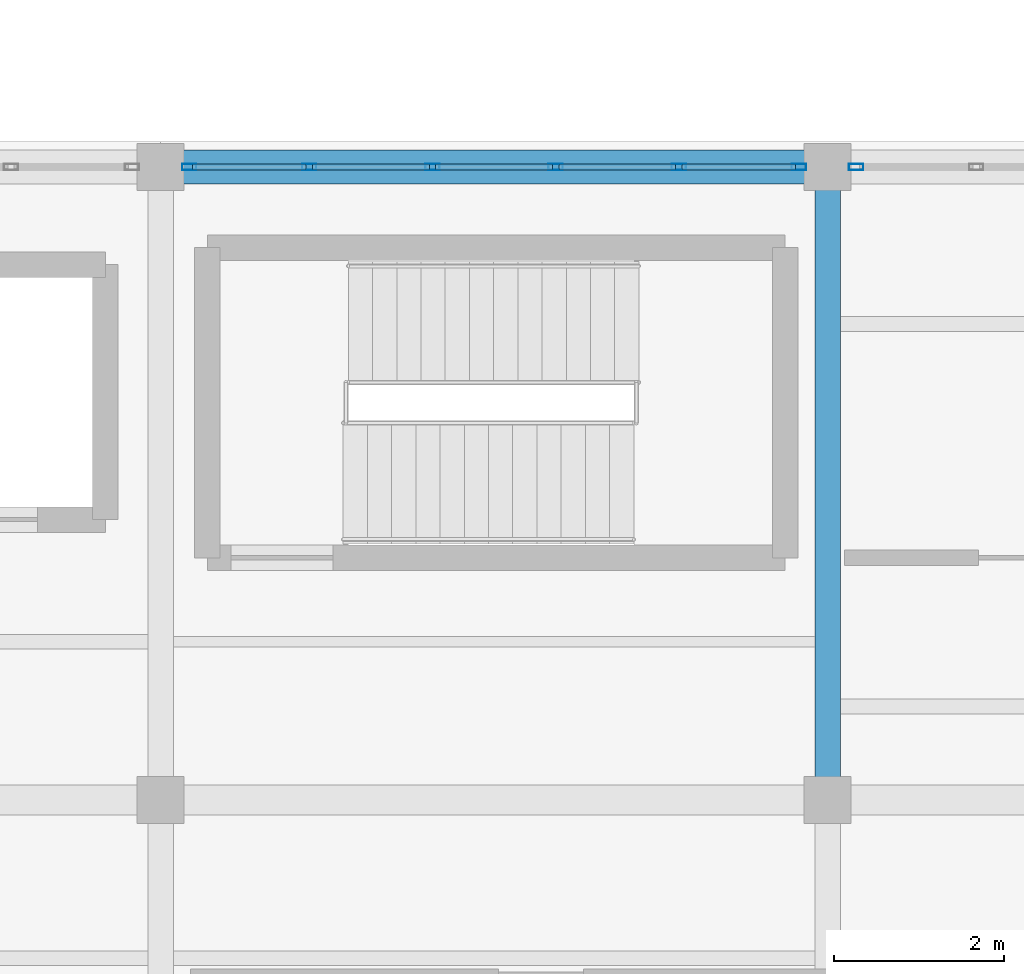
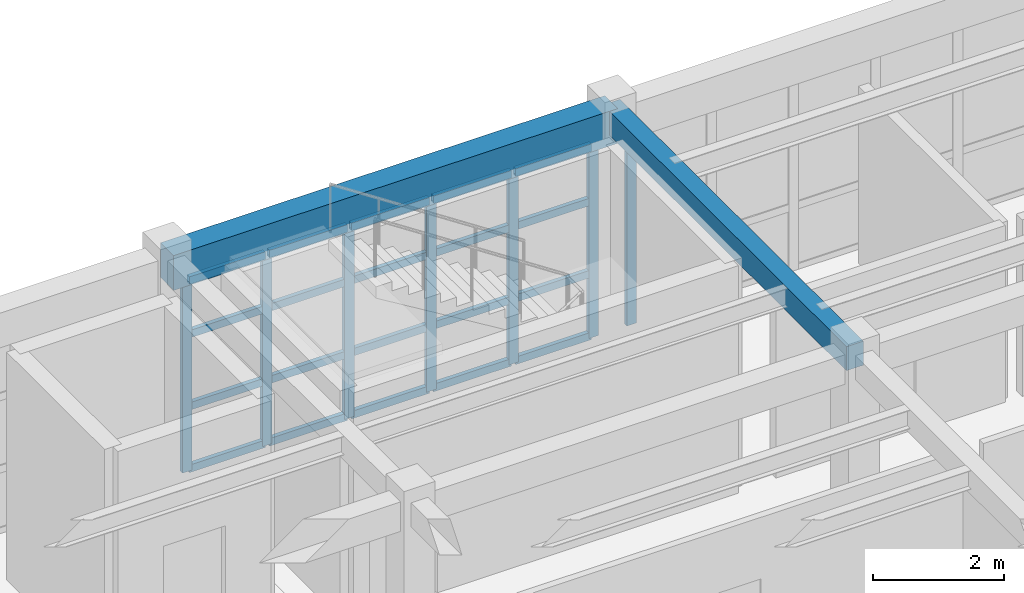
# One storey, part 13 of 85: 27 members, 2 beams, 2 elements without a shape of their own.
"""IFC4 building model written with IfcOpenShell, lengths in metres."""

from ifc_helpers import new_model, si_unit, direction, frame, origin, origin_2d, place, context, subcontext, project, spatial, rectangle, hollow_rectangle, extrude, material, layer, layer_set, material_profile, profile_set, type_object, element, aggregate, save


model = new_model("IFC4")

# Units and contexts
model_context = context("Model", 3, precision=1e-05, world=origin(), true_north=direction((0.0, 1.0)))
body_context = subcontext(model_context, "Body", "Model", "MODEL_VIEW")
ifc_project = project(units=[si_unit("LENGTHUNIT", "METRE"), si_unit("AREAUNIT", "SQUARE_METRE"), si_unit("VOLUMEUNIT", "CUBIC_METRE"), si_unit("PLANEANGLEUNIT", "RADIAN"), si_unit("MASSUNIT", "GRAM", prefix="KILO")], contexts=[model_context])

# Site, building, storey
site_placement = place(None, origin())
site = spatial("IfcSite", under=ifc_project, at=site_placement, CompositionType="ELEMENT")
building_placement = place(site_placement, origin())
building = spatial("IfcBuilding", under=site, at=building_placement, Name="Candilejo Ridge Gondola Terminal", CompositionType="ELEMENT")
storey_placement = place(building_placement, frame((0.0, 0.0, 4.5)))
storey = spatial("IfcBuildingStorey", under=building, at=storey_placement, Name="L01", CompositionType="ELEMENT", Elevation=4.5)

# Curtain wall, members
ifc_material_1 = material(Name="Anodised aluminium AA 6063-T6", Category="aluminium")
ifc_layer = layer(ifc_material_1, 0.169921875)
ifc_layer_set = layer_set([ifc_layer], Name="ARC-CW-CONCOURSE-3600-725X359")
curtain_wall_type = type_object("IfcCurtainWallType", Name="ARC-CW-CONCOURSE-3600-725X359", PredefinedType="NOTDEFINED", material=ifc_layer_set)
curtain_wall_1_placement = place(storey_placement, origin())
curtain_wall_1 = element("IfcCurtainWall", 1, at=curtain_wall_1_placement, inside=storey, type_object=curtain_wall_type, Name="Curtain wall V1 L01-014", PredefinedType="NOTDEFINED")
ifc_material_2 = material(Name="Anodised aluminium AA 6063-T6", Category="aluminium")
ifc_material_profile_1 = material_profile(ifc_material_2, hollow_rectangle(XDim=0.074951171875, YDim=0.169921875, WallThickness=0.00390625, at=origin_2d()))
ifc_profile_set_1 = profile_set([ifc_material_profile_1], Name="Anodised aluminium AA 6063-T6")
member_type_1 = type_object("IfcMemberType", Name="ARC-CW-MULLION", PredefinedType="MULLION", material=ifc_profile_set_1)
member_1_placement = place(storey_placement, frame((28.33740234375, 25.699951171875, 0.0), z_axis=(0.0, 0.0, 1.0), x_axis=(0.0, 1.0, 0.0)))
member_1 = element("IfcMember", 2, at=member_1_placement, type_object=member_type_1, Name="CW-72X35 mullion 1", PredefinedType="MULLION", context=body_context, shape_type="SweptSolid", body=[
    extrude(hollow_rectangle(XDim=0.074951171875, YDim=0.169921875, WallThickness=0.00390625, at=origin_2d()), origin(), (0.0, 0.0, 1.0), 3.590087890625),
])
member_2_placement = place(storey_placement, frame((29.75, 25.699951171875, 0.0), z_axis=(0.0, 0.0, 1.0), x_axis=(0.0, 1.0, 0.0)))
member_2 = element("IfcMember", 3, at=member_2_placement, type_object=member_type_1, Name="CW-72X35 mullion 2", PredefinedType="MULLION", context=body_context, shape_type="SweptSolid", body=[
    extrude(hollow_rectangle(XDim=0.074951171875, YDim=0.169921875, WallThickness=0.00390625, at=origin_2d()), origin(), (0.0, 0.0, 1.0), 3.590087890625),
])
member_3_placement = place(storey_placement, frame((31.199951171875, 25.699951171875, 0.0), z_axis=(0.0, 0.0, 1.0), x_axis=(0.0, 1.0, 0.0)))
member_3 = element("IfcMember", 4, at=member_3_placement, type_object=member_type_1, Name="CW-72X35 mullion 3", PredefinedType="MULLION", context=body_context, shape_type="SweptSolid", body=[
    extrude(hollow_rectangle(XDim=0.074951171875, YDim=0.169921875, WallThickness=0.00390625, at=origin_2d()), origin(), (0.0, 0.0, 1.0), 3.590087890625),
])
member_4_placement = place(storey_placement, frame((32.64990234375, 25.699951171875, 0.0), z_axis=(0.0, 0.0, 1.0), x_axis=(0.0, 1.0, 0.0)))
member_4 = element("IfcMember", 5, at=member_4_placement, type_object=member_type_1, Name="CW-72X35 mullion 4", PredefinedType="MULLION", context=body_context, shape_type="SweptSolid", body=[
    extrude(hollow_rectangle(XDim=0.074951171875, YDim=0.169921875, WallThickness=0.00390625, at=origin_2d()), origin(), (0.0, 0.0, 1.0), 3.590087890625),
])
member_5_placement = place(storey_placement, frame((34.10009765625, 25.699951171875, 0.0), z_axis=(0.0, 0.0, 1.0), x_axis=(0.0, 1.0, 0.0)))
member_5 = element("IfcMember", 6, at=member_5_placement, type_object=member_type_1, Name="CW-72X35 mullion 5", PredefinedType="MULLION", context=body_context, shape_type="SweptSolid", body=[
    extrude(hollow_rectangle(XDim=0.074951171875, YDim=0.169921875, WallThickness=0.00390625, at=origin_2d()), origin(), (0.0, 0.0, 1.0), 3.590087890625),
])
member_6_placement = place(storey_placement, frame((35.512451171875, 25.699951171875, 0.0), z_axis=(0.0, 0.0, 1.0), x_axis=(0.0, 1.0, 0.0)))
member_6 = element("IfcMember", 7, at=member_6_placement, type_object=member_type_1, Name="CW-72X35 mullion 6", PredefinedType="MULLION", context=body_context, shape_type="SweptSolid", body=[
    extrude(hollow_rectangle(XDim=0.074951171875, YDim=0.169921875, WallThickness=0.00390625, at=origin_2d()), origin(), (0.0, 0.0, 1.0), 3.590087890625),
])

# Curtain wall, member
curtain_wall_2_placement = place(storey_placement, origin())
curtain_wall_2 = element("IfcCurtainWall", 8, at=curtain_wall_2_placement, inside=storey, type_object=curtain_wall_type, Name="Curtain wall V1 L01-018", PredefinedType="NOTDEFINED")
member_7_placement = place(storey_placement, frame((36.1875, 25.699951171875, 0.0), z_axis=(0.0, 0.0, 1.0), x_axis=(0.0, 1.0, 0.0)))
member_7 = element("IfcMember", 9, at=member_7_placement, type_object=member_type_1, Name="CW-72X35 mullion 1", PredefinedType="MULLION", context=body_context, shape_type="SweptSolid", body=[
    extrude(hollow_rectangle(XDim=0.074951171875, YDim=0.169921875, WallThickness=0.00390625, at=origin_2d()), origin(), (0.0, 0.0, 1.0), 3.590087890625),
])
aggregate(curtain_wall_2, [member_7])

# Member
ifc_material_3 = material(Name="Anodised aluminium AA 6063-T6", Category="aluminium")
ifc_material_profile_2 = material_profile(ifc_material_3, hollow_rectangle(XDim=0.074951171875, YDim=0.139892578125, WallThickness=0.00390625, at=origin_2d()))
ifc_profile_set_2 = profile_set([ifc_material_profile_2], Name="Anodised aluminium AA 6063-T6")
member_type_2 = type_object("IfcMemberType", Name="ARC-CW-TRANSOM", PredefinedType="USERDEFINED", material=ifc_profile_set_2)
member_8_placement = place(storey_placement, frame((28.375, 25.699951171875, 0.03759765625), z_axis=(1.0, 0.0, 0.0), x_axis=(0.0, 1.0, 0.0)))
member_8 = element("IfcMember", 10, at=member_8_placement, type_object=member_type_2, Name="CW-72X35 transom 1.1", ObjectType="TRANSOM", PredefinedType="USERDEFINED", context=body_context, shape_type="SweptSolid", body=[
    extrude(hollow_rectangle(XDim=0.074951171875, YDim=0.139892578125, WallThickness=0.00390625, at=origin_2d()), origin(), (0.0, 0.0, 1.0), 1.33740234375),
])

member_9_placement = place(storey_placement, frame((28.375, 25.699951171875, 1.199951171875), z_axis=(1.0, 0.0, 0.0), x_axis=(0.0, 1.0, 0.0)))
member_9 = element("IfcMember", 11, at=member_9_placement, type_object=member_type_2, Name="CW-72X35 transom 1.2", ObjectType="TRANSOM", PredefinedType="USERDEFINED", context=body_context, shape_type="SweptSolid", body=[
    extrude(hollow_rectangle(XDim=0.074951171875, YDim=0.139892578125, WallThickness=0.00390625, at=origin_2d()), origin(), (0.0, 0.0, 1.0), 1.33740234375),
])

member_10_placement = place(storey_placement, frame((28.375, 25.699951171875, 2.550048828125), z_axis=(1.0, 0.0, 0.0), x_axis=(0.0, 1.0, 0.0)))
member_10 = element("IfcMember", 12, at=member_10_placement, type_object=member_type_2, Name="CW-72X35 transom 1.3", ObjectType="TRANSOM", PredefinedType="USERDEFINED", context=body_context, shape_type="SweptSolid", body=[
    extrude(hollow_rectangle(XDim=0.074951171875, YDim=0.139892578125, WallThickness=0.00390625, at=origin_2d()), origin(), (0.0, 0.0, 1.0), 1.33740234375),
])

member_11_placement = place(storey_placement, frame((28.375, 25.699951171875, 3.552490234375), z_axis=(1.0, 0.0, 0.0), x_axis=(0.0, 1.0, 0.0)))
member_11 = element("IfcMember", 13, at=member_11_placement, type_object=member_type_2, Name="CW-72X35 transom 1.4", ObjectType="TRANSOM", PredefinedType="USERDEFINED", context=body_context, shape_type="SweptSolid", body=[
    extrude(hollow_rectangle(XDim=0.074951171875, YDim=0.139892578125, WallThickness=0.00390625, at=origin_2d()), origin(), (0.0, 0.0, 1.0), 1.33740234375),
])

member_12_placement = place(storey_placement, frame((29.78759765625, 25.699951171875, 0.03759765625), z_axis=(1.0, 0.0, 0.0), x_axis=(0.0, 1.0, 0.0)))
member_12 = element("IfcMember", 14, at=member_12_placement, type_object=member_type_2, Name="CW-72X35 transom 2.1", ObjectType="TRANSOM", PredefinedType="USERDEFINED", context=body_context, shape_type="SweptSolid", body=[
    extrude(hollow_rectangle(XDim=0.074951171875, YDim=0.139892578125, WallThickness=0.00390625, at=origin_2d()), origin(), (0.0, 0.0, 1.0), 1.375),
])

member_13_placement = place(storey_placement, frame((29.78759765625, 25.699951171875, 1.199951171875), z_axis=(1.0, 0.0, 0.0), x_axis=(0.0, 1.0, 0.0)))
member_13 = element("IfcMember", 15, at=member_13_placement, type_object=member_type_2, Name="CW-72X35 transom 2.2", ObjectType="TRANSOM", PredefinedType="USERDEFINED", context=body_context, shape_type="SweptSolid", body=[
    extrude(hollow_rectangle(XDim=0.074951171875, YDim=0.139892578125, WallThickness=0.00390625, at=origin_2d()), origin(), (0.0, 0.0, 1.0), 1.375),
])

member_14_placement = place(storey_placement, frame((29.78759765625, 25.699951171875, 2.550048828125), z_axis=(1.0, 0.0, 0.0), x_axis=(0.0, 1.0, 0.0)))
member_14 = element("IfcMember", 16, at=member_14_placement, type_object=member_type_2, Name="CW-72X35 transom 2.3", ObjectType="TRANSOM", PredefinedType="USERDEFINED", context=body_context, shape_type="SweptSolid", body=[
    extrude(hollow_rectangle(XDim=0.074951171875, YDim=0.139892578125, WallThickness=0.00390625, at=origin_2d()), origin(), (0.0, 0.0, 1.0), 1.375),
])

member_15_placement = place(storey_placement, frame((29.78759765625, 25.699951171875, 3.552490234375), z_axis=(1.0, 0.0, 0.0), x_axis=(0.0, 1.0, 0.0)))
member_15 = element("IfcMember", 17, at=member_15_placement, type_object=member_type_2, Name="CW-72X35 transom 2.4", ObjectType="TRANSOM", PredefinedType="USERDEFINED", context=body_context, shape_type="SweptSolid", body=[
    extrude(hollow_rectangle(XDim=0.074951171875, YDim=0.139892578125, WallThickness=0.00390625, at=origin_2d()), origin(), (0.0, 0.0, 1.0), 1.375),
])

member_16_placement = place(storey_placement, frame((31.237548828125, 25.699951171875, 0.03759765625), z_axis=(1.0, 0.0, 0.0), x_axis=(0.0, 1.0, 0.0)))
member_16 = element("IfcMember", 18, at=member_16_placement, type_object=member_type_2, Name="CW-72X35 transom 3.1", ObjectType="TRANSOM", PredefinedType="USERDEFINED", context=body_context, shape_type="SweptSolid", body=[
    extrude(hollow_rectangle(XDim=0.074951171875, YDim=0.139892578125, WallThickness=0.00390625, at=origin_2d()), origin(), (0.0, 0.0, 1.0), 1.375),
])

member_17_placement = place(storey_placement, frame((31.237548828125, 25.699951171875, 1.199951171875), z_axis=(1.0, 0.0, 0.0), x_axis=(0.0, 1.0, 0.0)))
member_17 = element("IfcMember", 19, at=member_17_placement, type_object=member_type_2, Name="CW-72X35 transom 3.2", ObjectType="TRANSOM", PredefinedType="USERDEFINED", context=body_context, shape_type="SweptSolid", body=[
    extrude(hollow_rectangle(XDim=0.074951171875, YDim=0.139892578125, WallThickness=0.00390625, at=origin_2d()), origin(), (0.0, 0.0, 1.0), 1.375),
])

member_18_placement = place(storey_placement, frame((31.237548828125, 25.699951171875, 2.550048828125), z_axis=(1.0, 0.0, 0.0), x_axis=(0.0, 1.0, 0.0)))
member_18 = element("IfcMember", 20, at=member_18_placement, type_object=member_type_2, Name="CW-72X35 transom 3.3", ObjectType="TRANSOM", PredefinedType="USERDEFINED", context=body_context, shape_type="SweptSolid", body=[
    extrude(hollow_rectangle(XDim=0.074951171875, YDim=0.139892578125, WallThickness=0.00390625, at=origin_2d()), origin(), (0.0, 0.0, 1.0), 1.375),
])

member_19_placement = place(storey_placement, frame((31.237548828125, 25.699951171875, 3.552490234375), z_axis=(1.0, 0.0, 0.0), x_axis=(0.0, 1.0, 0.0)))
member_19 = element("IfcMember", 21, at=member_19_placement, type_object=member_type_2, Name="CW-72X35 transom 3.4", ObjectType="TRANSOM", PredefinedType="USERDEFINED", context=body_context, shape_type="SweptSolid", body=[
    extrude(hollow_rectangle(XDim=0.074951171875, YDim=0.139892578125, WallThickness=0.00390625, at=origin_2d()), origin(), (0.0, 0.0, 1.0), 1.375),
])

member_20_placement = place(storey_placement, frame((32.6875, 25.699951171875, 0.03759765625), z_axis=(1.0, 0.0, 0.0), x_axis=(0.0, 1.0, 0.0)))
member_20 = element("IfcMember", 22, at=member_20_placement, type_object=member_type_2, Name="CW-72X35 transom 4.1", ObjectType="TRANSOM", PredefinedType="USERDEFINED", context=body_context, shape_type="SweptSolid", body=[
    extrude(hollow_rectangle(XDim=0.074951171875, YDim=0.139892578125, WallThickness=0.00390625, at=origin_2d()), origin(), (0.0, 0.0, 1.0), 1.375),
])

member_21_placement = place(storey_placement, frame((32.6875, 25.699951171875, 1.199951171875), z_axis=(1.0, 0.0, 0.0), x_axis=(0.0, 1.0, 0.0)))
member_21 = element("IfcMember", 23, at=member_21_placement, type_object=member_type_2, Name="CW-72X35 transom 4.2", ObjectType="TRANSOM", PredefinedType="USERDEFINED", context=body_context, shape_type="SweptSolid", body=[
    extrude(hollow_rectangle(XDim=0.074951171875, YDim=0.139892578125, WallThickness=0.00390625, at=origin_2d()), origin(), (0.0, 0.0, 1.0), 1.375),
])

member_22_placement = place(storey_placement, frame((32.6875, 25.699951171875, 2.550048828125), z_axis=(1.0, 0.0, 0.0), x_axis=(0.0, 1.0, 0.0)))
member_22 = element("IfcMember", 24, at=member_22_placement, type_object=member_type_2, Name="CW-72X35 transom 4.3", ObjectType="TRANSOM", PredefinedType="USERDEFINED", context=body_context, shape_type="SweptSolid", body=[
    extrude(hollow_rectangle(XDim=0.074951171875, YDim=0.139892578125, WallThickness=0.00390625, at=origin_2d()), origin(), (0.0, 0.0, 1.0), 1.375),
])

member_23_placement = place(storey_placement, frame((32.6875, 25.699951171875, 3.552490234375), z_axis=(1.0, 0.0, 0.0), x_axis=(0.0, 1.0, 0.0)))
member_23 = element("IfcMember", 25, at=member_23_placement, type_object=member_type_2, Name="CW-72X35 transom 4.4", ObjectType="TRANSOM", PredefinedType="USERDEFINED", context=body_context, shape_type="SweptSolid", body=[
    extrude(hollow_rectangle(XDim=0.074951171875, YDim=0.139892578125, WallThickness=0.00390625, at=origin_2d()), origin(), (0.0, 0.0, 1.0), 1.375),
])

member_24_placement = place(storey_placement, frame((34.137451171875, 25.699951171875, 0.03759765625), z_axis=(1.0, 0.0, 0.0), x_axis=(0.0, 1.0, 0.0)))
member_24 = element("IfcMember", 26, at=member_24_placement, type_object=member_type_2, Name="CW-72X35 transom 5.1", ObjectType="TRANSOM", PredefinedType="USERDEFINED", context=body_context, shape_type="SweptSolid", body=[
    extrude(hollow_rectangle(XDim=0.074951171875, YDim=0.139892578125, WallThickness=0.00390625, at=origin_2d()), origin(), (0.0, 0.0, 1.0), 1.337646484375),
])

member_25_placement = place(storey_placement, frame((34.137451171875, 25.699951171875, 1.199951171875), z_axis=(1.0, 0.0, 0.0), x_axis=(0.0, 1.0, 0.0)))
member_25 = element("IfcMember", 27, at=member_25_placement, type_object=member_type_2, Name="CW-72X35 transom 5.2", ObjectType="TRANSOM", PredefinedType="USERDEFINED", context=body_context, shape_type="SweptSolid", body=[
    extrude(hollow_rectangle(XDim=0.074951171875, YDim=0.139892578125, WallThickness=0.00390625, at=origin_2d()), origin(), (0.0, 0.0, 1.0), 1.337646484375),
])

member_26_placement = place(storey_placement, frame((34.137451171875, 25.699951171875, 2.550048828125), z_axis=(1.0, 0.0, 0.0), x_axis=(0.0, 1.0, 0.0)))
member_26 = element("IfcMember", 28, at=member_26_placement, type_object=member_type_2, Name="CW-72X35 transom 5.3", ObjectType="TRANSOM", PredefinedType="USERDEFINED", context=body_context, shape_type="SweptSolid", body=[
    extrude(hollow_rectangle(XDim=0.074951171875, YDim=0.139892578125, WallThickness=0.00390625, at=origin_2d()), origin(), (0.0, 0.0, 1.0), 1.337646484375),
])

member_27_placement = place(storey_placement, frame((34.137451171875, 25.699951171875, 3.552490234375), z_axis=(1.0, 0.0, 0.0), x_axis=(0.0, 1.0, 0.0)))
member_27 = element("IfcMember", 29, at=member_27_placement, type_object=member_type_2, Name="CW-72X35 transom 5.4", ObjectType="TRANSOM", PredefinedType="USERDEFINED", context=body_context, shape_type="SweptSolid", body=[
    extrude(hollow_rectangle(XDim=0.074951171875, YDim=0.139892578125, WallThickness=0.00390625, at=origin_2d()), origin(), (0.0, 0.0, 1.0), 1.337646484375),
])

aggregate(curtain_wall_1, [member_1, member_2, member_3, member_4, member_5, member_6, member_8, member_9, member_10, member_11, member_12, member_13, member_14, member_15, member_16, member_17, member_18, member_19, member_20, member_21, member_22, member_23, member_24, member_25, member_26, member_27])

# Beams
ifc_material_4 = material(Name="Concrete f'c 35 MPa (C35/45)", Category="concrete")
ifc_material_profile_3 = material_profile(ifc_material_4, rectangle(XDim=0.300048828125, YDim=0.449951171875, at=origin_2d()))
ifc_profile_set_3 = profile_set([ifc_material_profile_3], Name="Concrete f'c 35 MPa (C35/45)")
beam_type_1 = type_object("IfcBeamType", Name="STR-BM-RC300X450", PredefinedType="BEAM", material=ifc_profile_set_3)
beam_1_placement = place(storey_placement, frame((35.85009765625, 18.25, 4.02490234375), z_axis=(0.0, 1.0, 0.0), x_axis=(-1.0, 0.0, 0.0)))
element("IfcBeam", 30, at=beam_1_placement, inside=storey, type_object=beam_type_1, Name="Beam Y V1 L01 Y03-Y05@X05", PredefinedType="BEAM", context=body_context, shape_type="SweptSolid", body=[
    extrude(rectangle(XDim=0.300048828125, YDim=0.449951171875, at=origin_2d()), origin(), (0.0, 0.0, 1.0), 7.449951171875),
])
ifc_material_5 = material(Name="Concrete f'c 35 MPa (C35/45)", Category="concrete")
ifc_material_profile_4 = material_profile(ifc_material_5, rectangle(XDim=0.39990234375, YDim=0.64990234375, at=origin_2d()))
ifc_profile_set_4 = profile_set([ifc_material_profile_4], Name="Concrete f'c 35 MPa (C35/45)")
beam_type_2 = type_object("IfcBeamType", Name="STR-SPN-RC400X650", PredefinedType="SPANDREL", material=ifc_profile_set_4)
beam_2_placement = place(storey_placement, frame((28.0, 25.699951171875, 3.925048828125), z_axis=(1.0, 0.0, 0.0), x_axis=(0.0, 1.0, 0.0)))
element("IfcBeam", 31, at=beam_2_placement, inside=storey, type_object=beam_type_2, Name="Beam X V1 L01 X04-X05@Y05", PredefinedType="SPANDREL", context=body_context, shape_type="SweptSolid", body=[
    extrude(rectangle(XDim=0.39990234375, YDim=0.64990234375, at=origin_2d()), origin(), (0.0, 0.0, 1.0), 7.85009765625),
])

save(model, "model.ifc")
